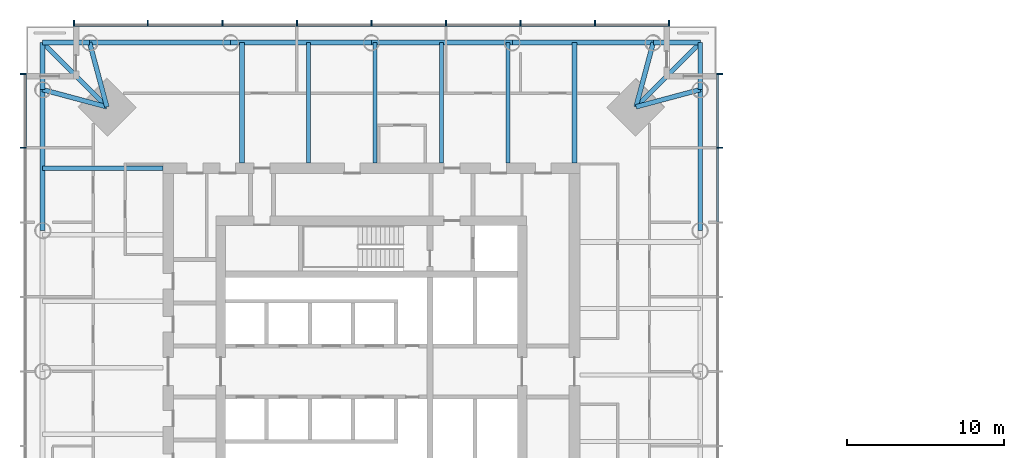
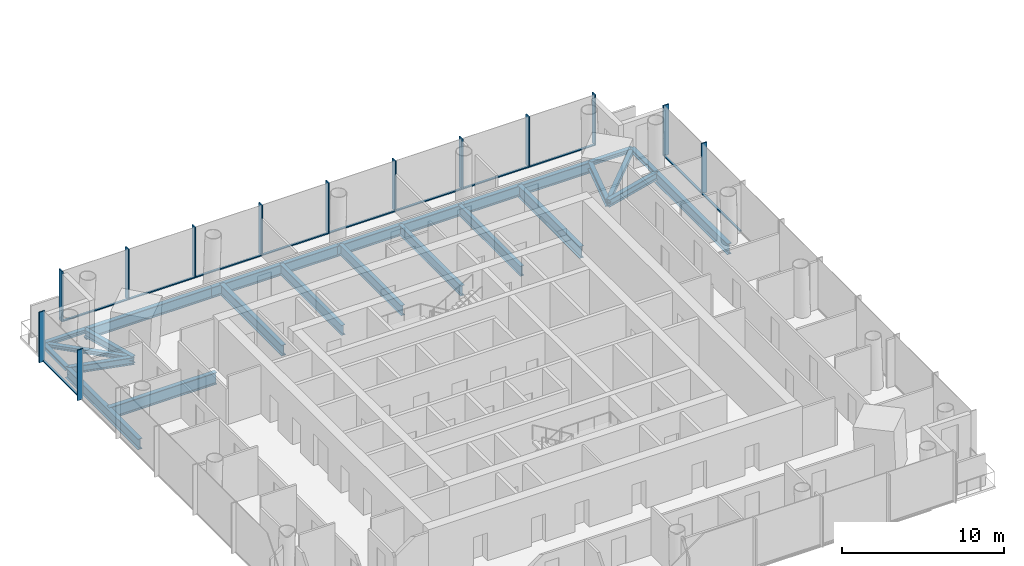
# One storey, part 3 of 19: 24 members, 23 beams, 3 elements without a shape of their own.
"""IFC4 building model written with IfcOpenShell, lengths in metres."""

from ifc_helpers import new_model, si_unit, direction, frame, origin, origin_2d, place, context, subcontext, project, spatial, rectangle, i_section, extrude, material, material_profile, profile_set, type_object, element, aggregate, save


model = new_model("IFC4")

# Units and contexts
model_context = context("Model", 3, precision=1e-05, world=origin(), true_north=direction((0.0, 1.0)))
body_context = subcontext(model_context, "Body", "Model", "MODEL_VIEW")
ifc_project = project(units=[si_unit("LENGTHUNIT", "METRE"), si_unit("AREAUNIT", "SQUARE_METRE"), si_unit("VOLUMEUNIT", "CUBIC_METRE"), si_unit("PLANEANGLEUNIT", "RADIAN"), si_unit("MASSUNIT", "GRAM", prefix="KILO")], contexts=[model_context])

# Site, building, storey
site_placement = place(None, origin())
site = spatial("IfcSite", under=ifc_project, at=site_placement, CompositionType="ELEMENT")
building_placement = place(site_placement, origin())
building = spatial("IfcBuilding", under=site, at=building_placement, Name="Ostroluk Exchange", CompositionType="ELEMENT")
storey_placement = place(building_placement, frame((0.0, 0.0, 116.0)))
storey = spatial("IfcBuildingStorey", under=building, at=storey_placement, Name="L29", CompositionType="ELEMENT", Elevation=116.0)

# Beams
ifc_material_1 = material(Name="Steel S355", Category="steel")
ifc_material_profile_1 = material_profile(ifc_material_1, i_section(OverallWidth=0.300048828125, OverallDepth=0.300048828125, WebThickness=0.010986328125, FlangeThickness=0.01904296875, FilletRadius=0.027099609375, at=origin_2d()), Name="HEB 300")
ifc_profile_set_1 = profile_set([ifc_material_profile_1], Name="Steel S355")
beam_type_1 = type_object("IfcBeamType", Name="Balcony beam HEB 300", PredefinedType="BEAM", material=ifc_profile_set_1)
for number, where, z_axis, x_axis, name in (
    (1, (65.96435546875, 63.96435546875, -0.330078125), (0.0, 1.0, 0.0), (-1.0, 0.0, 0.0), "T1 east balcony beam a"),
    (2, (62.96435546875, 66.96435546875, -0.330078125), (1.0, 0.0, 0.0), (0.0, 1.0, 0.0), "T1 east balcony beam b"),
):
    element("IfcBeam", number, at=place(storey_placement, frame(where, z_axis=z_axis, x_axis=x_axis)), inside=storey, type_object=beam_type_1, Name=name, PredefinedType="BEAM", context=body_context, shape_type="SweptSolid", body=[
        extrude(i_section(OverallWidth=0.300048828125, OverallDepth=0.300048828125, WebThickness=0.010986328125, FlangeThickness=0.01904296875, FilletRadius=0.027099609375, at=origin_2d()), origin(), (0.0, 0.0, 1.0), 3.0),
    ])
beam_1_placement = place(storey_placement, frame((61.8642578125, 62.8642578125, -0.330078125), z_axis=(0.707106781187, 0.707106781187, 0.0), x_axis=(-0.707106781187, 0.707106781187, 0.0)))
element("IfcBeam", 3, at=beam_1_placement, inside=storey, type_object=beam_type_1, Name="T1 east balcony beam c", PredefinedType="BEAM", context=body_context, shape_type="SweptSolid", body=[
    extrude(i_section(OverallWidth=0.300048828125, OverallDepth=0.300048828125, WebThickness=0.010986328125, FlangeThickness=0.01904296875, FilletRadius=0.027099609375, at=origin_2d()), origin(), (0.0, 0.0, 1.0), 5.79833984375),
])
for number, where, z_axis, x_axis, name in (
    (4, (27.03564453125, 66.96435546875, -0.330078125), (-1.0, 0.0, 0.0), (0.0, -1.0, 0.0), "T1 north balcony beam a"),
    (5, (24.03564453125, 63.96435546875, -0.330078125), (0.0, 1.0, 0.0), (-1.0, 0.0, 0.0), "T1 north balcony beam b"),
):
    element("IfcBeam", number, at=place(storey_placement, frame(where, z_axis=z_axis, x_axis=x_axis)), inside=storey, type_object=beam_type_1, Name=name, PredefinedType="BEAM", context=body_context, shape_type="SweptSolid", body=[
        extrude(i_section(OverallWidth=0.300048828125, OverallDepth=0.300048828125, WebThickness=0.010986328125, FlangeThickness=0.01904296875, FilletRadius=0.027099609375, at=origin_2d()), origin(), (0.0, 0.0, 1.0), 3.0),
    ])
beam_2_placement = place(storey_placement, frame((28.1357421875, 62.8642578125, -0.330078125), z_axis=(-0.707106781187, 0.707106781187, 0.0), x_axis=(-0.707106781187, -0.707106781187, 0.0)))
element("IfcBeam", 6, at=beam_2_placement, inside=storey, type_object=beam_type_1, Name="T1 north balcony beam c", PredefinedType="BEAM", context=body_context, shape_type="SweptSolid", body=[
    extrude(i_section(OverallWidth=0.300048828125, OverallDepth=0.300048828125, WebThickness=0.010986328125, FlangeThickness=0.01904296875, FilletRadius=0.027099609375, at=origin_2d()), origin(), (0.0, 0.0, 1.0), 5.79833984375),
])
ifc_material_2 = material(Name="Steel S355", Category="steel")
ifc_material_profile_2 = material_profile(ifc_material_2, i_section(OverallWidth=0.300048828125, OverallDepth=0.550048828125, WebThickness=0.014892578125, FlangeThickness=0.029052734375, FilletRadius=0.027099609375, at=origin_2d()), Name="HEB 550")
ifc_profile_set_2 = profile_set([ifc_material_profile_2], Name="Steel S355")
beam_type_2 = type_object("IfcBeamType", Name="Corner edge beam HEB 550", PredefinedType="SPANDREL", material=ifc_profile_set_2)
for number, where, z_axis, x_axis, name in (
    (7, (61.8642578125, 62.8642578125, -0.455078125), (0.965838624319, 0.259144268261, 0.0), (-0.259144268261, 0.965838624319, 0.0), "T1 east corner edge beam a"),
    (8, (61.8642578125, 62.8642578125, -0.455078125), (0.259144268261, 0.965838624319, 0.0), (-0.965838624319, 0.259144268261, 0.0), "T1 east corner edge beam b"),
    (9, (28.1357421875, 62.8642578125, -0.455078125), (-0.259144268261, 0.965838624319, 0.0), (-0.965838624319, -0.259144268261, 0.0), "T1 north corner edge beam a"),
    (10, (28.1357421875, 62.8642578125, -0.455078125), (-0.965838624319, 0.259144268261, 0.0), (-0.259144268261, -0.965838624319, 0.0), "T1 north corner edge beam b"),
):
    element("IfcBeam", number, at=place(storey_placement, frame(where, z_axis=z_axis, x_axis=x_axis)), inside=storey, type_object=beam_type_2, Name=name, PredefinedType="SPANDREL", context=body_context, shape_type="SweptSolid", body=[
        extrude(i_section(OverallWidth=0.300048828125, OverallDepth=0.550048828125, WebThickness=0.014892578125, FlangeThickness=0.029052734375, FilletRadius=0.027099609375, at=origin_2d()), origin(), (0.0, 0.0, 1.0), 4.2451171875),
    ])
ifc_material_3 = material(Name="Steel S355", Category="steel")
ifc_material_profile_3 = material_profile(ifc_material_3, i_section(OverallWidth=0.302978515625, OverallDepth=0.81396484375, WebThickness=0.02099609375, FlangeThickness=0.0400390625, FilletRadius=0.030029296875, at=origin_2d()), Name="HEM 800")
ifc_profile_set_3 = profile_set([ifc_material_profile_3], Name="Steel S355")
beam_type_3 = type_object("IfcBeamType", Name="Floor beam HEM 800", PredefinedType="BEAM", material=ifc_profile_set_3)
beam_3_placement = place(storey_placement, frame((36.753662109375, 59.300048828125, -0.5869140625), z_axis=(0.0, 1.0, 0.0), x_axis=(-1.0, 0.0, 0.0)))
element("IfcBeam", 11, at=beam_3_placement, inside=storey, type_object=beam_type_3, Name="T1 north floor beam 5", PredefinedType="BEAM", context=body_context, shape_type="SweptSolid", body=[
    extrude(i_section(OverallWidth=0.302978515625, OverallDepth=0.81396484375, WebThickness=0.02099609375, FlangeThickness=0.0400390625, FilletRadius=0.030029296875, at=origin_2d()), origin(), (0.0, 0.0, 1.0), 7.664306640625),
])
ifc_material_4 = material(Name="Steel S355", Category="steel")
ifc_material_profile_4 = material_profile(ifc_material_4, i_section(OverallWidth=0.26708984375, OverallDepth=0.761962890625, WebThickness=0.014404296875, FlangeThickness=0.021484375, FilletRadius=0.01708984375, at=origin_2d()), Name="IPE 750x173")
ifc_profile_set_4 = profile_set([ifc_material_profile_4], Name="Steel S355")
beam_type_4 = type_object("IfcBeamType", Name="Floor beam IPE 750x173", PredefinedType="BEAM", material=ifc_profile_set_4)
for number, where, z_axis, x_axis, name in (
    (12, (53.710693359375, 59.300048828125, -0.56103515625), (0.0, 1.0, 0.0), (-1.0, 0.0, 0.0), "T1 north floor beam 1"),
    (13, (49.471435546875, 59.300048828125, -0.56103515625), (0.0, 1.0, 0.0), (-1.0, 0.0, 0.0), "T1 north floor beam 2"),
    (14, (45.232177734375, 59.300048828125, -0.56103515625), (0.0, 1.0, 0.0), (-1.0, 0.0, 0.0), "T1 north floor beam 3"),
    (15, (40.992919921875, 59.300048828125, -0.56103515625), (0.0, 1.0, 0.0), (-1.0, 0.0, 0.0), "T1 north floor beam 4"),
):
    element("IfcBeam", number, at=place(storey_placement, frame(where, z_axis=z_axis, x_axis=x_axis)), inside=storey, type_object=beam_type_4, Name=name, PredefinedType="BEAM", context=body_context, shape_type="SweptSolid", body=[
        extrude(i_section(OverallWidth=0.26708984375, OverallDepth=0.761962890625, WebThickness=0.014404296875, FlangeThickness=0.021484375, FilletRadius=0.01708984375, at=origin_2d()), origin(), (0.0, 0.0, 1.0), 7.664306640625),
    ])
ifc_material_5 = material(Name="Steel S355", Category="steel")
ifc_material_profile_5 = material_profile(ifc_material_5, i_section(OverallWidth=0.300048828125, OverallDepth=0.89990234375, WebThickness=0.0185546875, FlangeThickness=0.034912109375, FilletRadius=0.030029296875, at=origin_2d()), Name="HEB 900")
ifc_profile_set_5 = profile_set([ifc_material_profile_5], Name="Steel S355")
beam_type_5 = type_object("IfcBeamType", Name="Girder HEB 900", PredefinedType="BEAM", material=ifc_profile_set_5)
for number, where, z_axis, x_axis, name in (
    (16, (57.949951171875, 59.300048828125, -0.6298828125), (0.0, 1.0, 0.0), (-1.0, 0.0, 0.0), "T1 east girder"),
    (17, (31.699951171875, 58.949951171875, -0.6298828125), (-1.0, 0.0, 0.0), (0.0, -1.0, 0.0), "T1 north girder"),
):
    element("IfcBeam", number, at=place(storey_placement, frame(where, z_axis=z_axis, x_axis=x_axis)), inside=storey, type_object=beam_type_5, Name=name, PredefinedType="BEAM", context=body_context, shape_type="SweptSolid", body=[
        extrude(i_section(OverallWidth=0.300048828125, OverallDepth=0.89990234375, WebThickness=0.0185546875, FlangeThickness=0.034912109375, FilletRadius=0.030029296875, at=origin_2d()), origin(), (0.0, 0.0, 1.0), 7.664306640625),
    ])
ifc_material_6 = material(Name="Steel S355", Category="steel")
ifc_material_profile_6 = material_profile(ifc_material_6, i_section(OverallWidth=0.300048828125, OverallDepth=0.800048828125, WebThickness=0.017578125, FlangeThickness=0.032958984375, FilletRadius=0.030029296875, at=origin_2d()), Name="HEB 800")
ifc_profile_set_6 = profile_set([ifc_material_profile_6], Name="Steel S355")
beam_type_6 = type_object("IfcBeamType", Name="Moment-connected edge beam HEB 800", PredefinedType="SPANDREL", material=ifc_profile_set_6)
for number, where, z_axis, x_axis, name in (
    (18, (65.96435546875, 54.982177734375, -0.580078125), (0.0, 1.0, 0.0), (-1.0, 0.0, 0.0), "T1 east edge beam 4"),
    (19, (62.96435546875, 66.96435546875, -0.580078125), (-1.0, 0.0, 0.0), (0.0, -1.0, 0.0), "T1 north edge beam 1"),
    (20, (53.982177734375, 66.96435546875, -0.580078125), (-1.0, 0.0, 0.0), (0.0, -1.0, 0.0), "T1 north edge beam 2"),
    (21, (45.0, 66.96435546875, -0.580078125), (-1.0, 0.0, 0.0), (0.0, -1.0, 0.0), "T1 north edge beam 3"),
    (22, (36.017822265625, 66.96435546875, -0.580078125), (-1.0, 0.0, 0.0), (0.0, -1.0, 0.0), "T1 north edge beam 4"),
    (23, (24.03564453125, 63.96435546875, -0.580078125), (0.0, -1.0, 0.0), (1.0, 0.0, 0.0), "T1 west edge beam 1"),
):
    element("IfcBeam", number, at=place(storey_placement, frame(where, z_axis=z_axis, x_axis=x_axis)), inside=storey, type_object=beam_type_6, Name=name, PredefinedType="SPANDREL", context=body_context, shape_type="SweptSolid", body=[
        extrude(i_section(OverallWidth=0.300048828125, OverallDepth=0.800048828125, WebThickness=0.017578125, FlangeThickness=0.032958984375, FilletRadius=0.030029296875, at=origin_2d()), origin(), (0.0, 0.0, 1.0), 8.982177734375),
    ])

# Curtain wall, members
ifc_material_7 = material(Name="Laminated clear glass", Category="glass")
curtain_wall_type = type_object("IfcCurtainWallType", Name="Office tower facade", PredefinedType="USERDEFINED", material=ifc_material_7)
curtain_wall_1_placement = place(storey_placement, origin())
curtain_wall_1 = element("IfcCurtainWall", 24, at=curtain_wall_1_placement, inside=storey, type_object=curtain_wall_type, Name="Office tower east facade L29", ObjectType="UNITISED CURTAIN WALL", PredefinedType="USERDEFINED")
ifc_material_8 = material(Name="Aluminium mullion", Category="aluminium")
ifc_material_profile_7 = material_profile(ifc_material_8, rectangle(XDim=0.14990234375, YDim=0.080078125, at=origin_2d()), Name="Sill transom 80 x 150")
ifc_profile_set_7 = profile_set([ifc_material_profile_7], Name="Aluminium mullion")
member_type_1 = type_object("IfcMemberType", Name="Sill transom 80 x 150", PredefinedType="USERDEFINED", material=ifc_profile_set_7)
member_1_placement = place(storey_placement, frame((67.074951171875, 55.5400390625, 0.0400390625), z_axis=(0.0, 1.0, 0.0), x_axis=(-1.0, 0.0, 0.0)))
member_1 = element("IfcMember", 25, at=member_1_placement, type_object=member_type_1, Name="CW-O1 transom 7.1", ObjectType="TRANSOM", PredefinedType="USERDEFINED", context=body_context, shape_type="SweptSolid", body=[
    extrude(rectangle(XDim=0.14990234375, YDim=0.080078125, at=origin_2d()), origin(), (0.0, 0.0, 1.0), 4.669921875),
])
member_2_placement = place(storey_placement, frame((67.074951171875, 60.2900390625, 0.0400390625), z_axis=(0.0, 1.0, 0.0), x_axis=(-1.0, 0.0, 0.0)))
member_2 = element("IfcMember", 26, at=member_2_placement, type_object=member_type_1, Name="CW-O1 transom 8.1", ObjectType="TRANSOM", PredefinedType="USERDEFINED", context=body_context, shape_type="SweptSolid", body=[
    extrude(rectangle(XDim=0.14990234375, YDim=0.080078125, at=origin_2d()), origin(), (0.0, 0.0, 1.0), 4.6298828125),
])

curtain_wall_2_placement = place(storey_placement, origin())
curtain_wall_2 = element("IfcCurtainWall", 27, at=curtain_wall_2_placement, inside=storey, type_object=curtain_wall_type, Name="Office tower north facade L29", ObjectType="UNITISED CURTAIN WALL", PredefinedType="USERDEFINED")
member_3_placement = place(storey_placement, frame((63.919921875, 68.074951171875, 0.0400390625), z_axis=(-1.0, 0.0, 0.0), x_axis=(0.0, -1.0, 0.0)))
member_3 = element("IfcMember", 28, at=member_3_placement, type_object=member_type_1, Name="CW-O1 transom 1.1", ObjectType="TRANSOM", PredefinedType="USERDEFINED", context=body_context, shape_type="SweptSolid", body=[
    extrude(rectangle(XDim=0.14990234375, YDim=0.080078125, at=origin_2d()), origin(), (0.0, 0.0, 1.0), 4.6298828125),
])
member_4_placement = place(storey_placement, frame((59.2099609375, 68.074951171875, 0.0400390625), z_axis=(-1.0, 0.0, 0.0), x_axis=(0.0, -1.0, 0.0)))
member_4 = element("IfcMember", 29, at=member_4_placement, type_object=member_type_1, Name="CW-O1 transom 2.1", ObjectType="TRANSOM", PredefinedType="USERDEFINED", context=body_context, shape_type="SweptSolid", body=[
    extrude(rectangle(XDim=0.14990234375, YDim=0.080078125, at=origin_2d()), origin(), (0.0, 0.0, 1.0), 4.669921875),
])
member_5_placement = place(storey_placement, frame((54.4599609375, 68.074951171875, 0.0400390625), z_axis=(-1.0, 0.0, 0.0), x_axis=(0.0, -1.0, 0.0)))
member_5 = element("IfcMember", 30, at=member_5_placement, type_object=member_type_1, Name="CW-O1 transom 3.1", ObjectType="TRANSOM", PredefinedType="USERDEFINED", context=body_context, shape_type="SweptSolid", body=[
    extrude(rectangle(XDim=0.14990234375, YDim=0.080078125, at=origin_2d()), origin(), (0.0, 0.0, 1.0), 4.669921875),
])
member_6_placement = place(storey_placement, frame((49.7099609375, 68.074951171875, 0.0400390625), z_axis=(-1.0, 0.0, 0.0), x_axis=(0.0, -1.0, 0.0)))
member_6 = element("IfcMember", 31, at=member_6_placement, type_object=member_type_1, Name="CW-O1 transom 4.1", ObjectType="TRANSOM", PredefinedType="USERDEFINED", context=body_context, shape_type="SweptSolid", body=[
    extrude(rectangle(XDim=0.14990234375, YDim=0.080078125, at=origin_2d()), origin(), (0.0, 0.0, 1.0), 4.669921875),
])
member_7_placement = place(storey_placement, frame((44.9599609375, 68.074951171875, 0.0400390625), z_axis=(-1.0, 0.0, 0.0), x_axis=(0.0, -1.0, 0.0)))
member_7 = element("IfcMember", 32, at=member_7_placement, type_object=member_type_1, Name="CW-O1 transom 5.1", ObjectType="TRANSOM", PredefinedType="USERDEFINED", context=body_context, shape_type="SweptSolid", body=[
    extrude(rectangle(XDim=0.14990234375, YDim=0.080078125, at=origin_2d()), origin(), (0.0, 0.0, 1.0), 4.669921875),
])
member_8_placement = place(storey_placement, frame((40.2099609375, 68.074951171875, 0.0400390625), z_axis=(-1.0, 0.0, 0.0), x_axis=(0.0, -1.0, 0.0)))
member_8 = element("IfcMember", 33, at=member_8_placement, type_object=member_type_1, Name="CW-O1 transom 6.1", ObjectType="TRANSOM", PredefinedType="USERDEFINED", context=body_context, shape_type="SweptSolid", body=[
    extrude(rectangle(XDim=0.14990234375, YDim=0.080078125, at=origin_2d()), origin(), (0.0, 0.0, 1.0), 4.669921875),
])
member_9_placement = place(storey_placement, frame((35.4599609375, 68.074951171875, 0.0400390625), z_axis=(-1.0, 0.0, 0.0), x_axis=(0.0, -1.0, 0.0)))
member_9 = element("IfcMember", 34, at=member_9_placement, type_object=member_type_1, Name="CW-O1 transom 7.1", ObjectType="TRANSOM", PredefinedType="USERDEFINED", context=body_context, shape_type="SweptSolid", body=[
    extrude(rectangle(XDim=0.14990234375, YDim=0.080078125, at=origin_2d()), origin(), (0.0, 0.0, 1.0), 4.669921875),
])
member_10_placement = place(storey_placement, frame((30.7099609375, 68.074951171875, 0.0400390625), z_axis=(-1.0, 0.0, 0.0), x_axis=(0.0, -1.0, 0.0)))
member_10 = element("IfcMember", 35, at=member_10_placement, type_object=member_type_1, Name="CW-O1 transom 8.1", ObjectType="TRANSOM", PredefinedType="USERDEFINED", context=body_context, shape_type="SweptSolid", body=[
    extrude(rectangle(XDim=0.14990234375, YDim=0.080078125, at=origin_2d()), origin(), (0.0, 0.0, 1.0), 4.6298828125),
])

# Curtain wall, member
curtain_wall_3_placement = place(storey_placement, origin())
curtain_wall_3 = element("IfcCurtainWall", 36, at=curtain_wall_3_placement, inside=storey, type_object=curtain_wall_type, Name="Office tower west facade L29", ObjectType="UNITISED CURTAIN WALL", PredefinedType="USERDEFINED")
member_11_placement = place(storey_placement, frame((22.925048828125, 64.919921875, 0.0400390625), z_axis=(0.0, -1.0, 0.0), x_axis=(1.0, 0.0, 0.0)))
member_11 = element("IfcMember", 37, at=member_11_placement, type_object=member_type_1, Name="CW-O1 transom 1.1", ObjectType="TRANSOM", PredefinedType="USERDEFINED", context=body_context, shape_type="SweptSolid", body=[
    extrude(rectangle(XDim=0.14990234375, YDim=0.080078125, at=origin_2d()), origin(), (0.0, 0.0, 1.0), 4.6298828125),
])

# Member
ifc_material_9 = material(Name="Aluminium mullion with limestone facing", Category="masonry")
ifc_material_profile_8 = material_profile(ifc_material_9, rectangle(XDim=0.39990234375, YDim=0.080078125, at=origin_2d()), Name="Tracery mullion 80 x 400")
ifc_profile_set_8 = profile_set([ifc_material_profile_8], Name="Aluminium mullion with limestone facing")
member_type_2 = type_object("IfcMemberType", Name="Tracery mullion 80 x 400", PredefinedType="MULLION", material=ifc_profile_set_8)
member_12_placement = place(storey_placement, frame((67.199951171875, 60.25, 0.0), z_axis=(0.0, 0.0, 1.0), x_axis=(-1.0, 0.0, 0.0)))
member_12 = element("IfcMember", 38, at=member_12_placement, type_object=member_type_2, Name="CW-O1 mullion 8", PredefinedType="MULLION", context=body_context, shape_type="SweptSolid", body=[
    extrude(rectangle(XDim=0.39990234375, YDim=0.080078125, at=origin_2d()), origin(), (0.0, 0.0, 1.0), 3.800048828125),
])

member_13_placement = place(storey_placement, frame((67.199951171875, 64.9599609375, 0.0), z_axis=(0.0, 0.0, 1.0), x_axis=(-1.0, 0.0, 0.0)))
member_13 = element("IfcMember", 39, at=member_13_placement, type_object=member_type_2, Name="CW-O1 mullion 9", PredefinedType="MULLION", context=body_context, shape_type="SweptSolid", body=[
    extrude(rectangle(XDim=0.39990234375, YDim=0.080078125, at=origin_2d()), origin(), (0.0, 0.0, 1.0), 3.800048828125),
])

aggregate(curtain_wall_1, [member_12, member_13, member_1, member_2])

member_14_placement = place(storey_placement, frame((63.9599609375, 68.199951171875, 0.0), z_axis=(0.0, 0.0, 1.0), x_axis=(0.0, -1.0, 0.0)))
member_14 = element("IfcMember", 40, at=member_14_placement, type_object=member_type_2, Name="CW-O1 mullion 1", PredefinedType="MULLION", context=body_context, shape_type="SweptSolid", body=[
    extrude(rectangle(XDim=0.39990234375, YDim=0.080078125, at=origin_2d()), origin(), (0.0, 0.0, 1.0), 3.800048828125),
])

member_15_placement = place(storey_placement, frame((59.25, 68.199951171875, 0.0), z_axis=(0.0, 0.0, 1.0), x_axis=(0.0, -1.0, 0.0)))
member_15 = element("IfcMember", 41, at=member_15_placement, type_object=member_type_2, Name="CW-O1 mullion 2", PredefinedType="MULLION", context=body_context, shape_type="SweptSolid", body=[
    extrude(rectangle(XDim=0.39990234375, YDim=0.080078125, at=origin_2d()), origin(), (0.0, 0.0, 1.0), 3.800048828125),
])

member_16_placement = place(storey_placement, frame((54.5, 68.199951171875, 0.0), z_axis=(0.0, 0.0, 1.0), x_axis=(0.0, -1.0, 0.0)))
member_16 = element("IfcMember", 42, at=member_16_placement, type_object=member_type_2, Name="CW-O1 mullion 3", PredefinedType="MULLION", context=body_context, shape_type="SweptSolid", body=[
    extrude(rectangle(XDim=0.39990234375, YDim=0.080078125, at=origin_2d()), origin(), (0.0, 0.0, 1.0), 3.800048828125),
])

member_17_placement = place(storey_placement, frame((49.75, 68.199951171875, 0.0), z_axis=(0.0, 0.0, 1.0), x_axis=(0.0, -1.0, 0.0)))
member_17 = element("IfcMember", 43, at=member_17_placement, type_object=member_type_2, Name="CW-O1 mullion 4", PredefinedType="MULLION", context=body_context, shape_type="SweptSolid", body=[
    extrude(rectangle(XDim=0.39990234375, YDim=0.080078125, at=origin_2d()), origin(), (0.0, 0.0, 1.0), 3.800048828125),
])

member_18_placement = place(storey_placement, frame((45.0, 68.199951171875, 0.0), z_axis=(0.0, 0.0, 1.0), x_axis=(0.0, -1.0, 0.0)))
member_18 = element("IfcMember", 44, at=member_18_placement, type_object=member_type_2, Name="CW-O1 mullion 5", PredefinedType="MULLION", context=body_context, shape_type="SweptSolid", body=[
    extrude(rectangle(XDim=0.39990234375, YDim=0.080078125, at=origin_2d()), origin(), (0.0, 0.0, 1.0), 3.800048828125),
])

member_19_placement = place(storey_placement, frame((40.25, 68.199951171875, 0.0), z_axis=(0.0, 0.0, 1.0), x_axis=(0.0, -1.0, 0.0)))
member_19 = element("IfcMember", 45, at=member_19_placement, type_object=member_type_2, Name="CW-O1 mullion 6", PredefinedType="MULLION", context=body_context, shape_type="SweptSolid", body=[
    extrude(rectangle(XDim=0.39990234375, YDim=0.080078125, at=origin_2d()), origin(), (0.0, 0.0, 1.0), 3.800048828125),
])

member_20_placement = place(storey_placement, frame((35.5, 68.199951171875, 0.0), z_axis=(0.0, 0.0, 1.0), x_axis=(0.0, -1.0, 0.0)))
member_20 = element("IfcMember", 46, at=member_20_placement, type_object=member_type_2, Name="CW-O1 mullion 7", PredefinedType="MULLION", context=body_context, shape_type="SweptSolid", body=[
    extrude(rectangle(XDim=0.39990234375, YDim=0.080078125, at=origin_2d()), origin(), (0.0, 0.0, 1.0), 3.800048828125),
])

member_21_placement = place(storey_placement, frame((30.75, 68.199951171875, 0.0), z_axis=(0.0, 0.0, 1.0), x_axis=(0.0, -1.0, 0.0)))
member_21 = element("IfcMember", 47, at=member_21_placement, type_object=member_type_2, Name="CW-O1 mullion 8", PredefinedType="MULLION", context=body_context, shape_type="SweptSolid", body=[
    extrude(rectangle(XDim=0.39990234375, YDim=0.080078125, at=origin_2d()), origin(), (0.0, 0.0, 1.0), 3.800048828125),
])

member_22_placement = place(storey_placement, frame((26.0400390625, 68.199951171875, 0.0), z_axis=(0.0, 0.0, 1.0), x_axis=(0.0, -1.0, 0.0)))
member_22 = element("IfcMember", 48, at=member_22_placement, type_object=member_type_2, Name="CW-O1 mullion 9", PredefinedType="MULLION", context=body_context, shape_type="SweptSolid", body=[
    extrude(rectangle(XDim=0.39990234375, YDim=0.080078125, at=origin_2d()), origin(), (0.0, 0.0, 1.0), 3.800048828125),
])

aggregate(curtain_wall_2, [member_14, member_15, member_16, member_17, member_18, member_19, member_20, member_21, member_22, member_3, member_4, member_5, member_6, member_7, member_8, member_9, member_10])

member_23_placement = place(storey_placement, frame((22.800048828125, 64.9599609375, 0.0), z_axis=(0.0, 0.0, 1.0), x_axis=(1.0, 0.0, 0.0)))
member_23 = element("IfcMember", 49, at=member_23_placement, type_object=member_type_2, Name="CW-O1 mullion 1", PredefinedType="MULLION", context=body_context, shape_type="SweptSolid", body=[
    extrude(rectangle(XDim=0.39990234375, YDim=0.080078125, at=origin_2d()), origin(), (0.0, 0.0, 1.0), 3.800048828125),
])

member_24_placement = place(storey_placement, frame((22.800048828125, 60.25, 0.0), z_axis=(0.0, 0.0, 1.0), x_axis=(1.0, 0.0, 0.0)))
member_24 = element("IfcMember", 50, at=member_24_placement, type_object=member_type_2, Name="CW-O1 mullion 2", PredefinedType="MULLION", context=body_context, shape_type="SweptSolid", body=[
    extrude(rectangle(XDim=0.39990234375, YDim=0.080078125, at=origin_2d()), origin(), (0.0, 0.0, 1.0), 3.800048828125),
])

aggregate(curtain_wall_3, [member_23, member_24, member_11])

save(model, "model.ifc")
